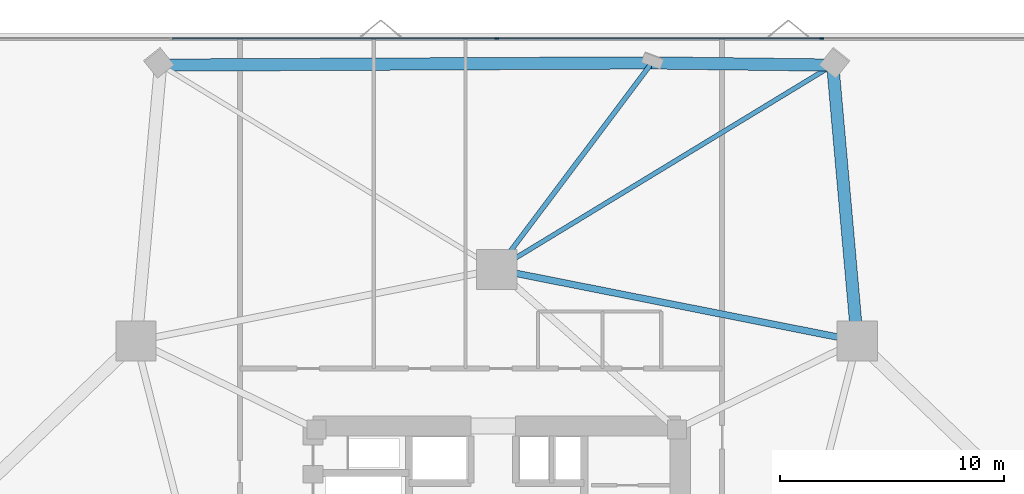
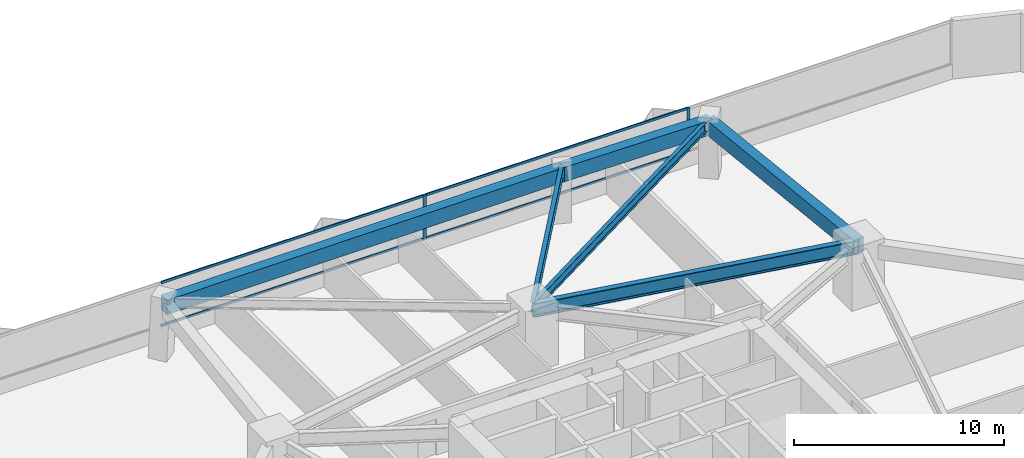
# One storey, part 12 of 20: 6 beams, 6 members, 1 element without a shape of its own.
"""IFC4 building model written with IfcOpenShell, lengths in metres."""

from ifc_helpers import new_model, si_unit, direction, frame, origin, origin_2d, place, context, subcontext, project, spatial, rectangle, i_section, extrude, material, layer, layer_set, material_profile, profile_set, type_object, element, aggregate, save


model = new_model("IFC4")

# Units and contexts
model_context = context("Model", 3, precision=1e-05, world=origin(), true_north=direction((0.0, 1.0)))
body_context = subcontext(model_context, "Body", "Model", "MODEL_VIEW")
ifc_project = project(units=[si_unit("LENGTHUNIT", "METRE"), si_unit("AREAUNIT", "SQUARE_METRE"), si_unit("VOLUMEUNIT", "CUBIC_METRE"), si_unit("PLANEANGLEUNIT", "RADIAN"), si_unit("MASSUNIT", "GRAM", prefix="KILO")], contexts=[model_context])

# Site, building, storey
site_placement = place(None, origin())
site = spatial("IfcSite", under=ifc_project, at=site_placement, CompositionType="ELEMENT")
building_placement = place(site_placement, origin())
building = spatial("IfcBuilding", under=site, at=building_placement, Name="Talyreon Biosciences Tower", CompositionType="ELEMENT")
storey_placement = place(building_placement, frame((0.0, 0.0, 37.39990234375)))
storey = spatial("IfcBuildingStorey", under=building, at=storey_placement, Name="L09", CompositionType="ELEMENT", Elevation=37.39990234375)

# Curtain wall, members
ifc_material_1 = material(Name="Thermally broken aluminium and low-E glazing", Category="aluminium")
ifc_layer = layer(ifc_material_1, 0.195068359375)
ifc_layer_set = layer_set([ifc_layer], Name="Thermally broken aluminium and low-E glazing")
curtain_wall_type = type_object("IfcCurtainWallType", Name="CurtainWall_Zone1WetLab", PredefinedType="NOTDEFINED", material=ifc_layer_set)
curtain_wall_placement = place(storey_placement, origin())
curtain_wall = element("IfcCurtainWall", 1, at=curtain_wall_placement, inside=storey, type_object=curtain_wall_type, Name="L09 Unitised Curtain Wall FCW-L09-04", PredefinedType="NOTDEFINED")
ifc_material_2 = material(Name="Anodised thermally broken aluminium", Category="aluminium")
ifc_material_profile_1 = material_profile(ifc_material_2, rectangle(XDim=0.06494140625, YDim=0.179931640625, at=origin_2d()), Name="ALUM MULLION 65x180")
ifc_profile_set_1 = profile_set([ifc_material_profile_1], Name="Anodised thermally broken aluminium")
member_type_1 = type_object("IfcMemberType", Name="CWMullion_65x180", PredefinedType="MULLION", material=ifc_profile_set_1)
member_1_placement = place(storey_placement, frame((66.0, 92.107421875, 0.81005859375), z_axis=(0.0, 0.0, 1.0), x_axis=(0.0, 1.0, 0.0)))
member_1 = element("IfcMember", 2, at=member_1_placement, type_object=member_type_1, Name="CW2 mullion 3", PredefinedType="MULLION", context=body_context, shape_type="SweptSolid", body=[
    extrude(rectangle(XDim=0.06494140625, YDim=0.179931640625, at=origin_2d()), origin(), (0.0, 0.0, 1.0), 2.56494140625),
])
member_2_placement = place(storey_placement, frame((80.52294921875, 92.107421875, 0.81005859375), z_axis=(0.0, 0.0, 1.0), x_axis=(0.0, 1.0, 0.0)))
member_2 = element("IfcMember", 3, at=member_2_placement, type_object=member_type_1, Name="CW2 mullion 4", PredefinedType="MULLION", context=body_context, shape_type="SweptSolid", body=[
    extrude(rectangle(XDim=0.06494140625, YDim=0.179931640625, at=origin_2d()), origin(), (0.0, 0.0, 1.0), 2.56494140625),
])
ifc_material_profile_2 = material_profile(ifc_material_2, rectangle(XDim=0.06494140625, YDim=0.139892578125, at=origin_2d()), Name="ALUM TRANSOM 65x140")
ifc_profile_set_2 = profile_set([ifc_material_profile_2], Name="Anodised thermally broken aluminium")
member_type_2 = type_object("IfcMemberType", Name="CWTransom_65x140", PredefinedType="USERDEFINED", material=ifc_profile_set_2)
member_3_placement = place(storey_placement, frame((51.509521484375, 92.107421875, 0.842529296875), z_axis=(1.0, 0.0, 0.0), x_axis=(0.0, 1.0, 0.0)))
member_3 = element("IfcMember", 4, at=member_3_placement, type_object=member_type_2, Name="CW2 transom 2.1", ObjectType="TRANSOM", PredefinedType="USERDEFINED", context=body_context, shape_type="SweptSolid", body=[
    extrude(rectangle(XDim=0.06494140625, YDim=0.139892578125, at=origin_2d()), origin(), (0.0, 0.0, 1.0), 14.4580078125),
])
member_4_placement = place(storey_placement, frame((51.509521484375, 92.107421875, 3.342529296875), z_axis=(1.0, 0.0, 0.0), x_axis=(0.0, 1.0, 0.0)))
member_4 = element("IfcMember", 5, at=member_4_placement, type_object=member_type_2, Name="CW2 transom 2.2", ObjectType="TRANSOM", PredefinedType="USERDEFINED", context=body_context, shape_type="SweptSolid", body=[
    extrude(rectangle(XDim=0.06494140625, YDim=0.139892578125, at=origin_2d()), origin(), (0.0, 0.0, 1.0), 14.4580078125),
])
member_5_placement = place(storey_placement, frame((66.032470703125, 92.107421875, 0.842529296875), z_axis=(1.0, 0.0, 0.0), x_axis=(0.0, 1.0, 0.0)))
member_5 = element("IfcMember", 6, at=member_5_placement, type_object=member_type_2, Name="CW2 transom 3.1", ObjectType="TRANSOM", PredefinedType="USERDEFINED", context=body_context, shape_type="SweptSolid", body=[
    extrude(rectangle(XDim=0.06494140625, YDim=0.139892578125, at=origin_2d()), origin(), (0.0, 0.0, 1.0), 14.4580078125),
])
member_6_placement = place(storey_placement, frame((66.032470703125, 92.107421875, 3.342529296875), z_axis=(1.0, 0.0, 0.0), x_axis=(0.0, 1.0, 0.0)))
member_6 = element("IfcMember", 7, at=member_6_placement, type_object=member_type_2, Name="CW2 transom 3.2", ObjectType="TRANSOM", PredefinedType="USERDEFINED", context=body_context, shape_type="SweptSolid", body=[
    extrude(rectangle(XDim=0.06494140625, YDim=0.139892578125, at=origin_2d()), origin(), (0.0, 0.0, 1.0), 14.4580078125),
])
aggregate(curtain_wall, [member_1, member_2, member_3, member_4, member_5, member_6])

# Beams
ifc_material_3 = material(Name="Precast concrete C45/55", Category="concrete")
ifc_material_profile_3 = material_profile(ifc_material_3, rectangle(XDim=0.550048828125, YDim=0.85009765625, at=origin_2d()), Name="RCB 550x850")
ifc_profile_set_3 = profile_set([ifc_material_profile_3], Name="Precast concrete C45/55")
beam_type_1 = type_object("IfcBeamType", Name="ExpressedSpandrel_550x850", PredefinedType="SPANDREL", material=ifc_profile_set_3)
beam_1_placement = place(storey_placement, frame((82.102294921875, 78.5986328125, 2.9501953125), z_axis=(-0.088650359758, 0.99606280611, 0.0), x_axis=(-0.99606280611, -0.088650359758, 0.0)))
element("IfcBeam", 8, at=beam_1_placement, inside=storey, type_object=beam_type_1, Name="L09 Expressed Horizontal Concrete Spandrel 05", PredefinedType="SPANDREL", context=body_context, shape_type="SweptSolid", body=[
    extrude(rectangle(XDim=0.550048828125, YDim=0.85009765625, at=origin_2d()), origin(), (0.0, 0.0, 1.0), 12.365234375),
])
beam_2_placement = place(storey_placement, frame((81.006103515625, 90.915283203125, 2.9501953125), z_axis=(-0.999923653414, 0.012356672032, 0.0), x_axis=(-0.012356672032, -0.999923653414, 0.0)))
element("IfcBeam", 9, at=beam_2_placement, inside=storey, type_object=beam_type_1, Name="L09 Expressed Horizontal Concrete Spandrel 06", PredefinedType="SPANDREL", context=body_context, shape_type="SweptSolid", body=[
    extrude(rectangle(XDim=0.550048828125, YDim=0.85009765625, at=origin_2d()), origin(), (0.0, 0.0, 1.0), 8.0810546875),
])
beam_3_placement = place(storey_placement, frame((72.92578125, 91.01513671875, 2.9501953125), z_axis=(-0.999989635746, -0.004552845402, 0.0), x_axis=(0.004552845402, -0.999989635746, 0.0)))
element("IfcBeam", 10, at=beam_3_placement, inside=storey, type_object=beam_type_1, Name="L09 Expressed Horizontal Concrete Spandrel 07", PredefinedType="SPANDREL", context=body_context, shape_type="SweptSolid", body=[
    extrude(rectangle(XDim=0.550048828125, YDim=0.85009765625, at=origin_2d()), origin(), (0.0, 0.0, 1.0), 21.93212890625),
])
ifc_material_4 = material(Name="Steel SM355", Category="steel")
ifc_material_profile_4 = material_profile(ifc_material_4, i_section(OverallWidth=0.300048828125, OverallDepth=0.800048828125, WebThickness=0.017578125, FlangeThickness=0.032958984375, FilletRadius=0.030029296875, at=origin_2d()), Name="HE800B")
ifc_profile_set_4 = profile_set([ifc_material_profile_4], Name="Steel SM355")
beam_type_2 = type_object("IfcBeamType", Name="SteelGirder_HE800B", PredefinedType="BEAM", material=ifc_profile_set_4)
beam_4_placement = place(storey_placement, frame((82.102294921875, 78.5986328125, 2.97509765625), z_axis=(-0.980933730698, 0.194342522311, 0.0), x_axis=(-0.194342522311, -0.980933730698, 0.0)))
element("IfcBeam", 11, at=beam_4_placement, inside=storey, type_object=beam_type_2, Name="L09 Mega-Ring Girder 3", PredefinedType="BEAM", context=body_context, shape_type="SweptSolid", body=[
    extrude(i_section(OverallWidth=0.300048828125, OverallDepth=0.800048828125, WebThickness=0.017578125, FlangeThickness=0.032958984375, FilletRadius=0.030029296875, at=origin_2d()), origin(), (0.0, 0.0, 1.0), 16.415283203125),
])
ifc_material_profile_5 = material_profile(ifc_material_4, i_section(OverallWidth=0.2099609375, OverallDepth=0.550048828125, WebThickness=0.010986328125, FlangeThickness=0.01708984375, FilletRadius=0.02392578125, at=origin_2d()), Name="IPE550")
ifc_profile_set_5 = profile_set([ifc_material_profile_5], Name="Steel SM355")
beam_type_3 = type_object("IfcBeamType", Name="SteelJoist_IPE550", PredefinedType="JOIST", material=ifc_profile_set_5)
beam_5_placement = place(storey_placement, frame((66.0, 81.788818359375, 3.10009765625), z_axis=(0.854392834207, 0.519627640581, 0.0), x_axis=(-0.519627640581, 0.854392834207, 0.0)))
element("IfcBeam", 12, at=beam_5_placement, inside=storey, type_object=beam_type_3, Name="L09 Radial Composite Floor Joist PC-N1", PredefinedType="JOIST", context=body_context, shape_type="SweptSolid", body=[
    extrude(i_section(OverallWidth=0.2099609375, OverallDepth=0.550048828125, WebThickness=0.010986328125, FlangeThickness=0.01708984375, FilletRadius=0.02392578125, at=origin_2d()), origin(), (0.0, 0.0, 1.0), 17.5634765625),
])
ifc_material_profile_6 = material_profile(ifc_material_4, i_section(OverallWidth=0.219970703125, OverallDepth=0.60009765625, WebThickness=0.011962890625, FlangeThickness=0.01904296875, FilletRadius=0.02392578125, at=origin_2d()), Name="IPE600")
ifc_profile_set_6 = profile_set([ifc_material_profile_6], Name="Steel SM355")
beam_type_4 = type_object("IfcBeamType", Name="SteelJoist_IPE600", PredefinedType="JOIST", material=ifc_profile_set_6)
beam_6_placement = place(storey_placement, frame((66.0, 81.788818359375, 3.0751953125), z_axis=(0.600335159854, 0.799748520376, 0.0), x_axis=(-0.799748520376, 0.600335159854, 0.0)))
element("IfcBeam", 13, at=beam_6_placement, inside=storey, type_object=beam_type_4, Name="L09 Radial Composite Floor Joist PL-N", PredefinedType="JOIST", context=body_context, shape_type="SweptSolid", body=[
    extrude(i_section(OverallWidth=0.219970703125, OverallDepth=0.60009765625, WebThickness=0.011962890625, FlangeThickness=0.01904296875, FilletRadius=0.02392578125, at=origin_2d()), origin(), (0.0, 0.0, 1.0), 11.53662109375),
])

save(model, "model.ifc")
